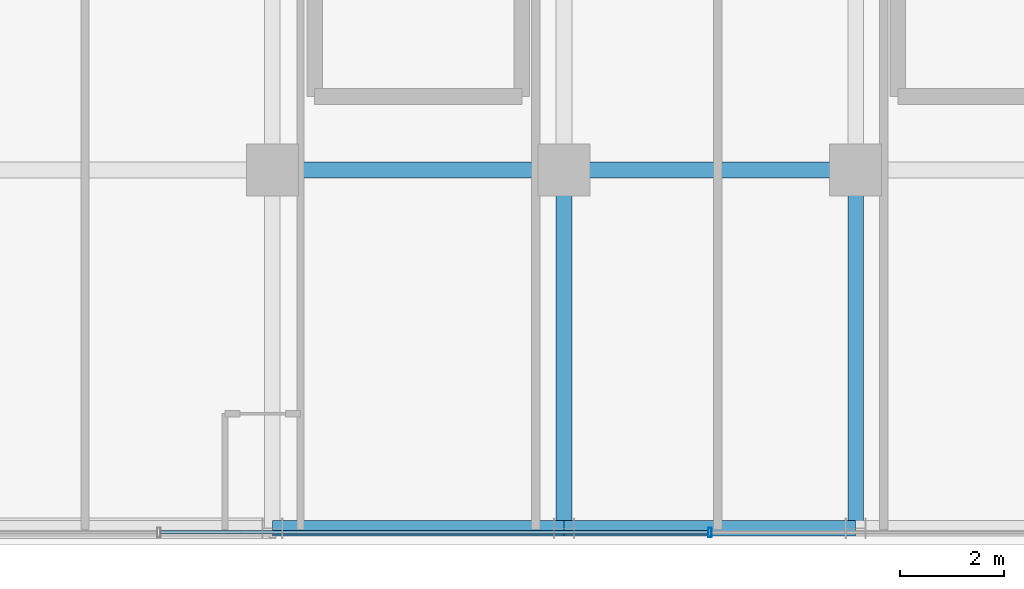
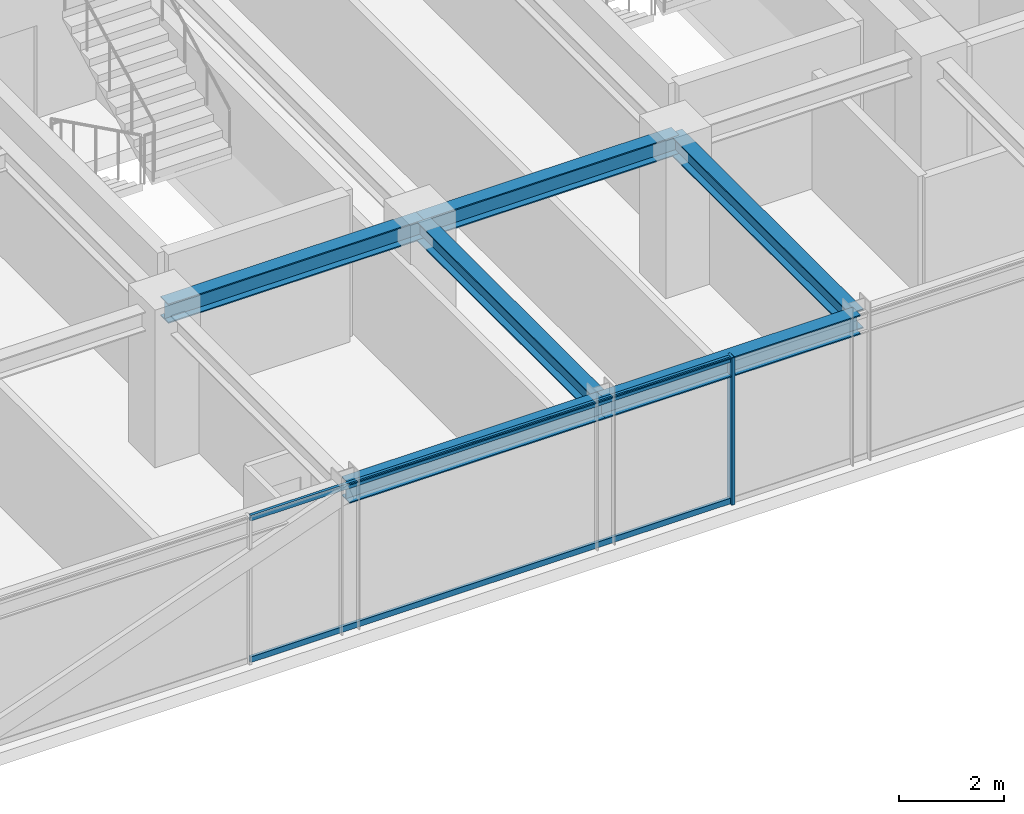
# One storey, part 8 of 36: 6 beams, 3 members, 1 element without a shape of its own.
"""IFC4 building model written with IfcOpenShell, lengths in metres."""

from ifc_helpers import new_model, si_unit, direction, frame, origin, origin_2d, place, context, subcontext, project, spatial, hollow_rectangle, i_section, extrude, source, transform, mapped, material, material_profile, profile_set, type_object, element, aggregate, save


model = new_model("IFC4")

# Units and contexts
model_context = context("Model", 3, precision=1e-05, world=origin(), true_north=direction((0.0, 1.0)))
body_context = subcontext(model_context, "Body", "Model", "MODEL_VIEW")
ifc_project = project(units=[si_unit("LENGTHUNIT", "METRE"), si_unit("AREAUNIT", "SQUARE_METRE"), si_unit("VOLUMEUNIT", "CUBIC_METRE"), si_unit("PLANEANGLEUNIT", "RADIAN"), si_unit("MASSUNIT", "GRAM", prefix="KILO")], contexts=[model_context])

# Site, building, storey
site_placement = place(None, origin())
site = spatial("IfcSite", under=ifc_project, at=site_placement, CompositionType="ELEMENT")
building_placement = place(site_placement, origin())
building = spatial("IfcBuilding", under=site, at=building_placement, Name="Nahalor Promenade Grand Hotel", CompositionType="ELEMENT")
storey_placement = place(building_placement, frame((0.0, 0.0, 241.89990234375)))
storey = spatial("IfcBuildingStorey", under=building, at=storey_placement, Name="L62", CompositionType="ELEMENT", Elevation=241.89990234375)

# Beams
ifc_material_1 = material(Name="Steel S355JR", Category="steel")
ifc_material_profile_1 = material_profile(ifc_material_1, i_section(OverallWidth=0.3, OverallDepth=0.45, WebThickness=0.014, FlangeThickness=0.026, at=origin_2d()), Name="HEB 450")
ifc_profile_set_1 = profile_set([ifc_material_profile_1], Name="Steel S355JR")
beam_type_1 = type_object("IfcBeamType", Name="Beam-Spandrel-HEB450", PredefinedType="SPANDREL", material=ifc_profile_set_1)
shared_shape_1 = source(origin(), body_context, "Body", "SweptSolid", [
    extrude(i_section(OverallWidth=0.3, OverallDepth=0.45, WebThickness=0.014, FlangeThickness=0.026, at=origin_2d()), origin(), (0.0, 0.0, 1.0), 5.599853515625),
])
beam_1_placement = place(storey_placement, frame((-8.39990234375, -23.8798828125, 3.18505859375), z_axis=(1.0, 0.0, 0.0), x_axis=(0.0, 1.0, 0.0)))
element("IfcBeam", 1, at=beam_1_placement, inside=storey, type_object=beam_type_1, Name="BM-L62-SP-S-1", PredefinedType="SPANDREL", context=body_context, shape_type="MappedRepresentation", body=[
    mapped(shared_shape_1, transform((0.0, 0.0, 0.0), scale=1.0)),
])
shared_shape_2 = source(origin(), body_context, "Body", "SweptSolid", [
    extrude(i_section(OverallWidth=0.3, OverallDepth=0.45, WebThickness=0.014, FlangeThickness=0.026, at=origin_2d()), origin(), (0.0, 0.0, 1.0), 5.60009765625),
])
beam_2_placement = place(storey_placement, frame((-2.800048828125, -23.8798828125, 3.18505859375), z_axis=(1.0, 0.0, 0.0), x_axis=(0.0, 1.0, 0.0)))
element("IfcBeam", 2, at=beam_2_placement, inside=storey, type_object=beam_type_1, Name="BM-L62-SP-S-2", PredefinedType="SPANDREL", context=body_context, shape_type="MappedRepresentation", body=[
    mapped(shared_shape_2, transform((0.0, 0.0, 0.0), scale=1.0)),
])
ifc_material_profile_2 = material_profile(ifc_material_1, i_section(OverallWidth=0.3, OverallDepth=0.45, WebThickness=0.014, FlangeThickness=0.026, at=origin_2d()), Name="HEB 450")
ifc_profile_set_2 = profile_set([ifc_material_profile_2], Name="Steel S355JR")
beam_type_2 = type_object("IfcBeamType", Name="Beam-Girder-HEB450", PredefinedType="BEAM", material=ifc_profile_set_2)
shared_shape_3 = source(origin(), body_context, "Body", "SweptSolid", [
    extrude(i_section(OverallWidth=0.3, OverallDepth=0.45, WebThickness=0.014, FlangeThickness=0.026, at=origin_2d()), origin(), (0.0, 0.0, 1.0), 6.8798828125),
])
for number, where, z_axis, x_axis, name in (
    (3, (-2.800048828125, -23.8798828125, 3.18505859375), (0.0, 1.0, 0.0), (-1.0, 0.0, 0.0), "BM-L62-GY-2-0"),
    (4, (2.800048828125, -23.8798828125, 3.18505859375), (0.0, 1.0, 0.0), (-1.0, 0.0, 0.0), "BM-L62-GY-3-0"),
):
    element("IfcBeam", number, at=place(storey_placement, frame(where, z_axis=z_axis, x_axis=x_axis)), inside=storey, type_object=beam_type_2, Name=name, PredefinedType="BEAM", context=body_context, shape_type="MappedRepresentation", body=[
        mapped(shared_shape_3, transform((0.0, 0.0, 0.0), scale=1.0)),
    ])
shared_shape_4 = source(origin(), body_context, "Body", "SweptSolid", [
    extrude(i_section(OverallWidth=0.3, OverallDepth=0.45, WebThickness=0.014, FlangeThickness=0.026, at=origin_2d()), origin(), (0.0, 0.0, 1.0), 5.599853515625),
])
beam_3_placement = place(storey_placement, frame((-8.39990234375, -17.0, 3.18505859375), z_axis=(1.0, 0.0, 0.0), x_axis=(0.0, 1.0, 0.0)))
element("IfcBeam", 5, at=beam_3_placement, inside=storey, type_object=beam_type_2, Name="BM-L62-GX-0-2", PredefinedType="BEAM", context=body_context, shape_type="MappedRepresentation", body=[
    mapped(shared_shape_4, transform((0.0, 0.0, 0.0), scale=1.0)),
])
shared_shape_5 = source(origin(), body_context, "Body", "SweptSolid", [
    extrude(i_section(OverallWidth=0.3, OverallDepth=0.45, WebThickness=0.014, FlangeThickness=0.026, at=origin_2d()), origin(), (0.0, 0.0, 1.0), 5.60009765625),
])
beam_4_placement = place(storey_placement, frame((-2.800048828125, -17.0, 3.18505859375), z_axis=(1.0, 0.0, 0.0), x_axis=(0.0, 1.0, 0.0)))
element("IfcBeam", 6, at=beam_4_placement, inside=storey, type_object=beam_type_2, Name="BM-L62-GX-0-3", PredefinedType="BEAM", context=body_context, shape_type="MappedRepresentation", body=[
    mapped(shared_shape_5, transform((0.0, 0.0, 0.0), scale=1.0)),
])

# Curtain wall, members
ifc_material_2 = material(Name="Anodised Bronze Aluminium EN AW-6063 T6", Category="aluminium")
curtain_wall_type = type_object("IfcCurtainWallType", Name="CW2 Typical Hotel Flush Bronze Unitised Curtain Wall", PredefinedType="USERDEFINED", material=ifc_material_2)
curtain_wall_placement = place(storey_placement, origin())
curtain_wall = element("IfcCurtainWall", 7, at=curtain_wall_placement, inside=storey, type_object=curtain_wall_type, Name="L62 Curtain Wall CW-L62-S-1", ObjectType="UNITISED_CURTAIN_WALL", PredefinedType="USERDEFINED")
ifc_material_profile_3 = material_profile(ifc_material_2, hollow_rectangle(XDim=0.065, YDim=0.18, WallThickness=0.004, at=origin_2d()), Name="CWM 65x180x4")
ifc_profile_set_3 = profile_set([ifc_material_profile_3], Name="Anodised Bronze Aluminium EN AW-6063 T6")
member_type_1 = type_object("IfcMemberType", Name="CWM2 Typical Bronze Mullion 65x180", PredefinedType="MULLION", material=ifc_profile_set_3)
shared_shape_6 = source(origin(), body_context, "Body", "SweptSolid", [
    extrude(hollow_rectangle(XDim=0.065, YDim=0.18, WallThickness=0.004, at=origin_2d()), origin(), (0.0, 0.0, 1.0), 3.41015625),
])
member_1_placement = place(storey_placement, frame((0.0, -23.9599609375, 0.0), z_axis=(0.0, 0.0, 1.0), x_axis=(1.0, 0.0, 0.0)))
member_1 = element("IfcMember", 8, at=member_1_placement, type_object=member_type_1, Name="CW-L62-S-1 Mullion 2", PredefinedType="MULLION", context=body_context, shape_type="MappedRepresentation", body=[
    mapped(shared_shape_6, transform((0.0, 0.0, 0.0), scale=1.0)),
])
ifc_material_profile_4 = material_profile(ifc_material_2, hollow_rectangle(XDim=0.065, YDim=0.13, WallThickness=0.004, at=origin_2d()), Name="CWT 65x130x4")
ifc_profile_set_4 = profile_set([ifc_material_profile_4], Name="Anodised Bronze Aluminium EN AW-6063 T6")
member_type_2 = type_object("IfcMemberType", Name="CWT2 Typical Bronze Transom 65x130", PredefinedType="USERDEFINED", material=ifc_profile_set_4)
shared_shape_7 = source(origin(), body_context, "Body", "SweptSolid", [
    extrude(hollow_rectangle(XDim=0.065, YDim=0.13, WallThickness=0.004, at=origin_2d()), origin(), (0.0, 0.0, 1.0), 10.51513671875),
])
member_2_placement = place(storey_placement, frame((-10.547607421875, -23.9599609375, 0.065185546875), z_axis=(1.0, 0.0, 0.0), x_axis=(0.0, 1.0, 0.0)))
member_2 = element("IfcMember", 9, at=member_2_placement, type_object=member_type_2, Name="CW-L62-S-1 Transom 1-0", ObjectType="TRANSOM", PredefinedType="USERDEFINED", context=body_context, shape_type="MappedRepresentation", body=[
    mapped(shared_shape_7, transform((0.0, 0.0, 0.0), scale=1.0)),
])
member_3_placement = place(storey_placement, frame((-10.547607421875, -23.9599609375, 3.34521484375), z_axis=(1.0, 0.0, 0.0), x_axis=(0.0, 1.0, 0.0)))
member_3 = element("IfcMember", 10, at=member_3_placement, type_object=member_type_2, Name="CW-L62-S-1 Transom 1-1", ObjectType="TRANSOM", PredefinedType="USERDEFINED", context=body_context, shape_type="MappedRepresentation", body=[
    mapped(shared_shape_7, transform((0.0, 0.0, 0.0), scale=1.0)),
])
aggregate(curtain_wall, [member_1, member_2, member_3])

save(model, "model.ifc")
